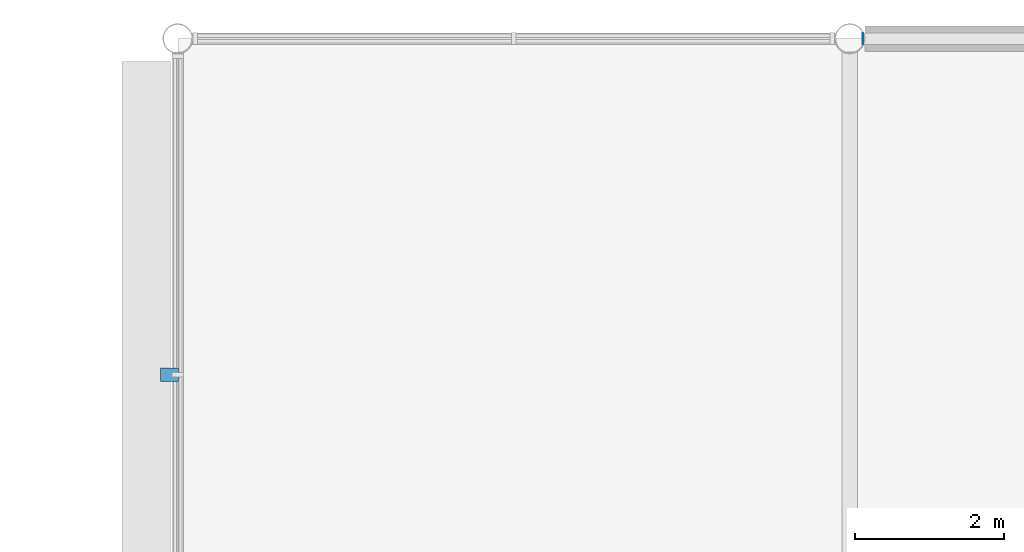
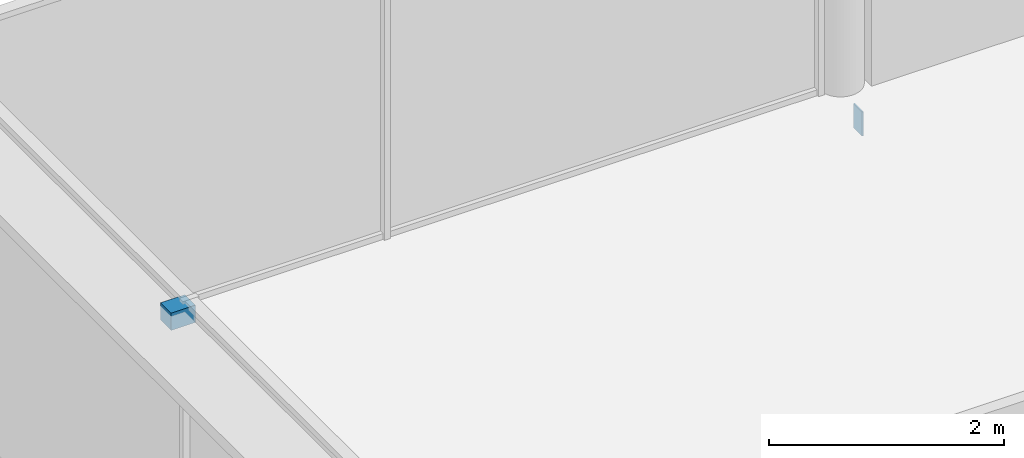
# One storey, part 77 of 96: 2 discrete accessories.
"""IFC4 building model written with IfcOpenShell, lengths in metres."""

from ifc_helpers import new_model, si_unit, direction, frame, origin, origin_2d, place, context, subcontext, project, spatial, polyline, rectangle, outline, extrude, material, layer, layer_set, type_object, element, save


model = new_model("IFC4")

# Units and contexts
model_context = context("Model", 3, precision=1e-05, world=origin(), true_north=direction((0.0, 1.0)))
body_context = subcontext(model_context, "Body", "Model", "MODEL_VIEW")
ifc_project = project(units=[si_unit("LENGTHUNIT", "METRE"), si_unit("AREAUNIT", "SQUARE_METRE"), si_unit("VOLUMEUNIT", "CUBIC_METRE"), si_unit("PLANEANGLEUNIT", "RADIAN"), si_unit("MASSUNIT", "GRAM", prefix="KILO")], contexts=[model_context])

# Site, building, storey
site_placement = place(None, origin())
site = spatial("IfcSite", under=ifc_project, at=site_placement, CompositionType="ELEMENT")
building_placement = place(site_placement, origin())
building = spatial("IfcBuilding", under=site, at=building_placement, Name="Kisiwana Market Hall", CompositionType="ELEMENT")
storey_placement = place(building_placement, frame((0.0, 0.0, 25.5)))
storey = spatial("IfcBuildingStorey", under=building, at=storey_placement, Name="L05", CompositionType="ELEMENT", Elevation=25.5)

# Discrete accessories
ifc_material_1 = material(Name="Steel S355", Category="steel")
discrete_accessory_type_1 = type_object("IfcDiscreteAccessoryType", Name="ACC-BRACKET-STL", PredefinedType="BRACKET", material=ifc_material_1)
discrete_accessory_1_placement = place(storey_placement, frame((152.889892578125, 106.5, 3.44482421875), z_axis=(0.0, 0.0, 1.0), x_axis=(0.0, 1.0, 0.0)))
element("IfcDiscreteAccessory", 1, at=discrete_accessory_1_placement, inside=storey, type_object=discrete_accessory_type_1, Name="Sunshade steel bracket BRK-099", PredefinedType="BRACKET", context=body_context, shape_type="SweptSolid", body=[
    extrude(rectangle(XDim=0.179931640625, YDim=0.239990234375, at=origin_2d()), origin(), (0.0, 0.0, 1.0), 0.179931640625),
])
ifc_material_2 = material(Name="Steel S355", Category="steel")
ifc_layer = layer(ifc_material_2, 0.011962890625)
ifc_layer_set = layer_set([ifc_layer], Name="ACC-ENDCAP-STL")
discrete_accessory_type_2 = type_object("IfcDiscreteAccessoryType", Name="ACC-ENDCAP-STL", PredefinedType="USERDEFINED", material=ifc_layer_set)
discrete_accessory_2_placement = place(storey_placement, frame((0.0, 0.0, -0.56494140625)))
element("IfcDiscreteAccessory", 2, at=discrete_accessory_2_placement, inside=storey, type_object=discrete_accessory_type_2, Name="End cap plate EC-0081", ObjectType="End cap plate", PredefinedType="USERDEFINED", context=body_context, shape_type="SweptSolid", body=[
    extrude(outline(polyline([(162.182373046875, 110.925048828125), (162.182373046875, 111.074951171875), (162.17041015625, 111.074951171875), (162.17041015625, 110.925048828125), (162.182373046875, 110.925048828125)])), origin(), (0.0, 0.0, 1.0), 0.25),
])

save(model, "model.ifc")
